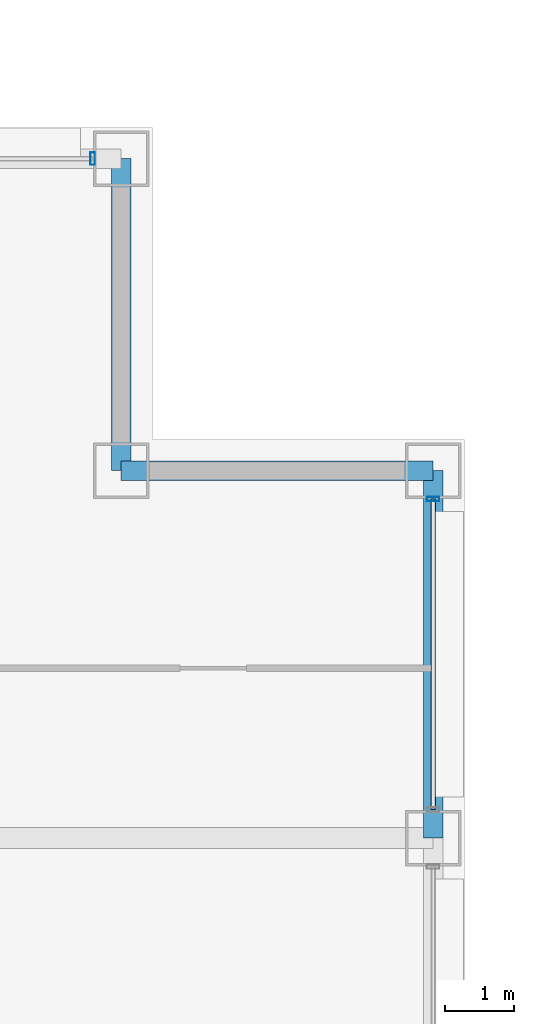
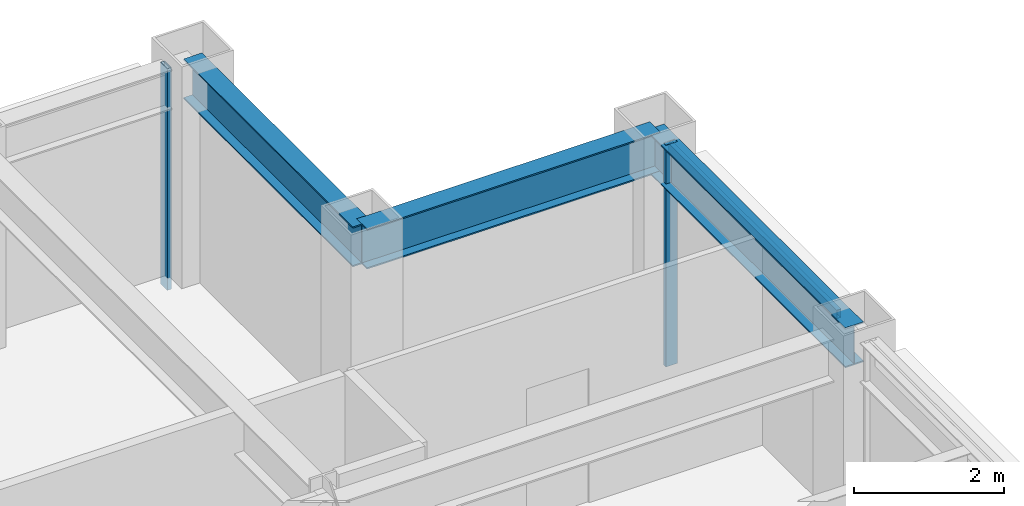
# One storey, part 22 of 29: 3 beams, 3 members, 2 elements without a shape of their own.
"""IFC4 building model written with IfcOpenShell, lengths in metres."""

from ifc_helpers import new_model, si_unit, direction, frame, origin, origin_2d, place, context, subcontext, project, spatial, hollow_rectangle, i_section, extrude, material, layer, layer_set, material_profile, profile_set, type_object, element, aggregate, save


model = new_model("IFC4")

# Units and contexts
model_context = context("Model", 3, precision=1e-05, world=origin(), true_north=direction((0.0, 1.0)))
body_context = subcontext(model_context, "Body", "Model", "MODEL_VIEW")
ifc_project = project(units=[si_unit("LENGTHUNIT", "METRE"), si_unit("AREAUNIT", "SQUARE_METRE"), si_unit("VOLUMEUNIT", "CUBIC_METRE"), si_unit("PLANEANGLEUNIT", "RADIAN"), si_unit("MASSUNIT", "GRAM", prefix="KILO")], contexts=[model_context])

# Site, building, storey
site_placement = place(None, origin())
site = spatial("IfcSite", under=ifc_project, at=site_placement, CompositionType="ELEMENT")
building_placement = place(site_placement, origin())
building = spatial("IfcBuilding", under=site, at=building_placement, Name="Brelmoor Portico Tower", CompositionType="ELEMENT")
storey_placement = place(building_placement, frame((0.0, 0.0, 127.800048828125)))
storey = spatial("IfcBuildingStorey", under=building, at=storey_placement, Name="L33", CompositionType="ELEMENT", Elevation=127.800048828125)

# Beams
ifc_material_1 = material(Name="Steel Q355B", Category="steel")
ifc_material_profile_1 = material_profile(ifc_material_1, i_section(OverallWidth=0.280029296875, OverallDepth=0.64990234375, WebThickness=0.012939453125, FlangeThickness=0.02197265625, at=origin_2d()), Name="HN 650x280x13x22")
ifc_profile_set_1 = profile_set([ifc_material_profile_1], Name="Steel Q355B")
beam_type = type_object("IfcBeamType", Name="BM-SP-650", PredefinedType="SPANDREL", material=ifc_profile_set_1)
for number, where, z_axis, x_axis, name in (
    (1, (18.050048828125, 15.050048828125, 3.074951171875), (1.0, 0.0, 0.0), (0.0, 1.0, 0.0), "L33 Perimeter Spandrel Beam SP-09"),
    (2, (18.050048828125, 15.050048828125, 3.074951171875), (0.0, 1.0, 0.0), (-1.0, 0.0, 0.0), "L33 Perimeter Spandrel Beam SP-21"),
):
    element("IfcBeam", number, at=place(storey_placement, frame(where, z_axis=z_axis, x_axis=x_axis)), inside=storey, type_object=beam_type, Name=name, PredefinedType="SPANDREL", context=body_context, shape_type="SweptSolid", body=[
        extrude(i_section(OverallWidth=0.280029296875, OverallDepth=0.64990234375, WebThickness=0.012939453125, FlangeThickness=0.02197265625, at=origin_2d()), origin(), (0.0, 0.0, 1.0), 4.5),
    ])
beam_placement = place(storey_placement, frame((22.550048828125, 9.75, 3.074951171875), z_axis=(0.0, 1.0, 0.0), x_axis=(-1.0, 0.0, 0.0)))
element("IfcBeam", 3, at=beam_placement, inside=storey, type_object=beam_type, Name="L33 Perimeter Spandrel Beam SP-24", PredefinedType="SPANDREL", context=body_context, shape_type="SweptSolid", body=[
    extrude(i_section(OverallWidth=0.280029296875, OverallDepth=0.64990234375, WebThickness=0.012939453125, FlangeThickness=0.02197265625, at=origin_2d()), origin(), (0.0, 0.0, 1.0), 5.300048828125),
])

# Curtain wall, member
ifc_material_2 = material(Name="Anodised Aluminium Alloy 6063-T6", Category="aluminium")
ifc_layer = layer(ifc_material_2, 0.179931640625)
ifc_layer_set = layer_set([ifc_layer], Name="Anodised Aluminium Alloy 6063-T6")
curtain_wall_type = type_object("IfcCurtainWallType", Name="CW-TOWER-Z2-XB", PredefinedType="NOTDEFINED", material=ifc_layer_set)
curtain_wall_1_placement = place(storey_placement, origin())
curtain_wall_1 = element("IfcCurtainWall", 4, at=curtain_wall_1_placement, inside=storey, type_object=curtain_wall_type, Name="L33 Curtain Wall CW-L33-2R-3", PredefinedType="NOTDEFINED")
ifc_material_profile_2 = material_profile(ifc_material_2, hollow_rectangle(XDim=0.06494140625, YDim=0.179931640625, WallThickness=0.00390625, at=origin_2d()), Name="ALU MULLION 65x180")
ifc_profile_set_2 = profile_set([ifc_material_profile_2], Name="Anodised Aluminium Alloy 6063-T6")
member_type_1 = type_object("IfcMemberType", Name="MB-CW-MULL-180", PredefinedType="MULLION", material=ifc_profile_set_2)
member_1_placement = place(storey_placement, frame((17.639892578125, 19.550048828125, -0.199951171875), z_axis=(0.0, 0.0, 1.0), x_axis=(1.0, 0.0, 0.0)))
member_1 = element("IfcMember", 5, at=member_1_placement, type_object=member_type_1, Name="CW-L33-2R-3 Mullion 01", PredefinedType="MULLION", context=body_context, shape_type="SweptSolid", body=[
    extrude(hollow_rectangle(XDim=0.06494140625, YDim=0.179931640625, WallThickness=0.00390625, at=origin_2d()), origin(), (0.0, 0.0, 1.0), 3.599853515625),
])
aggregate(curtain_wall_1, [member_1])

# Curtain wall, members
curtain_wall_2_placement = place(storey_placement, origin())
curtain_wall_2 = element("IfcCurtainWall", 6, at=curtain_wall_2_placement, inside=storey, type_object=curtain_wall_type, Name="L33 Curtain Wall CW-L33-4R-2", PredefinedType="NOTDEFINED")
member_2_placement = place(storey_placement, frame((22.550048828125, 14.639892578125, -0.199951171875), z_axis=(0.0, 0.0, 1.0), x_axis=(0.0, 1.0, 0.0)))
member_2 = element("IfcMember", 7, at=member_2_placement, type_object=member_type_1, Name="CW-L33-4R-2 Mullion 01", PredefinedType="MULLION", context=body_context, shape_type="SweptSolid", body=[
    extrude(hollow_rectangle(XDim=0.06494140625, YDim=0.179931640625, WallThickness=0.00390625, at=origin_2d()), origin(), (0.0, 0.0, 1.0), 3.599853515625),
])
ifc_material_profile_3 = material_profile(ifc_material_2, hollow_rectangle(XDim=0.06494140625, YDim=0.139892578125, WallThickness=0.00390625, at=origin_2d()), Name="ALU TRANSOM 65x140")
ifc_profile_set_3 = profile_set([ifc_material_profile_3], Name="Anodised Aluminium Alloy 6063-T6")
member_type_2 = type_object("IfcMemberType", Name="MB-CW-TRAN-140", PredefinedType="USERDEFINED", material=ifc_profile_set_3)
member_3_placement = place(storey_placement, frame((22.550048828125, 10.159912109375, 3.329833984375), z_axis=(0.0, 1.0, 0.0), x_axis=(-1.0, 0.0, 0.0)))
member_3 = element("IfcMember", 8, at=member_3_placement, type_object=member_type_2, Name="CW-L33-4R-2 Transom 1-00", ObjectType="TRANSOM", PredefinedType="USERDEFINED", context=body_context, shape_type="SweptSolid", body=[
    extrude(hollow_rectangle(XDim=0.06494140625, YDim=0.139892578125, WallThickness=0.00390625, at=origin_2d()), origin(), (0.0, 0.0, 1.0), 4.47998046875),
])
aggregate(curtain_wall_2, [member_2, member_3])

save(model, "model.ifc")
